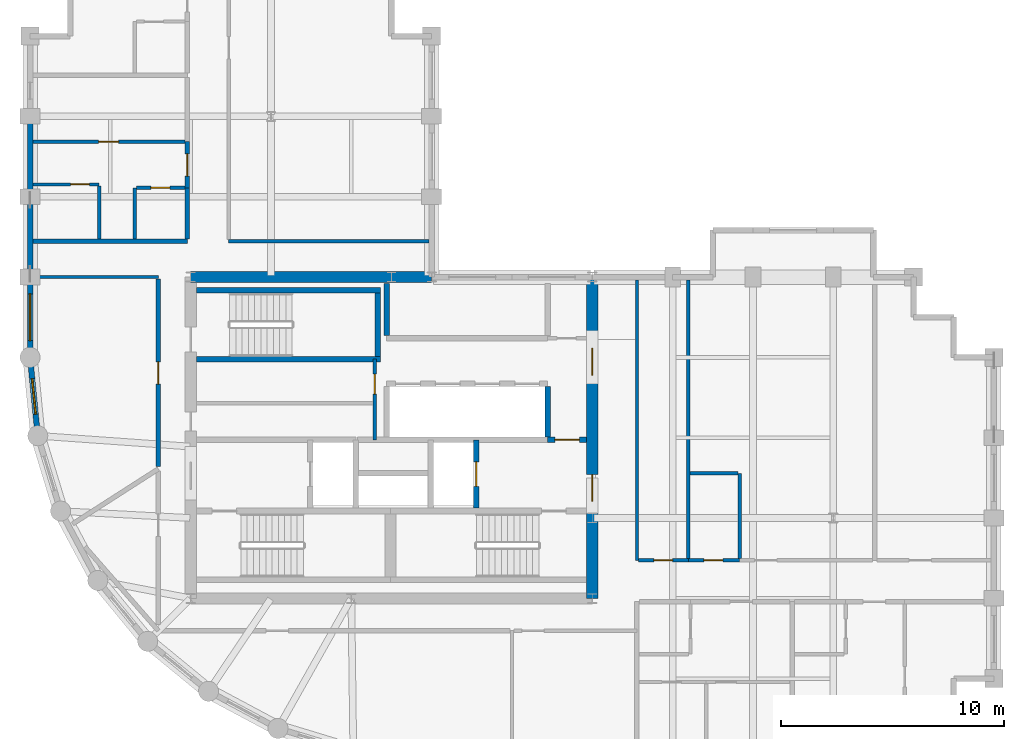
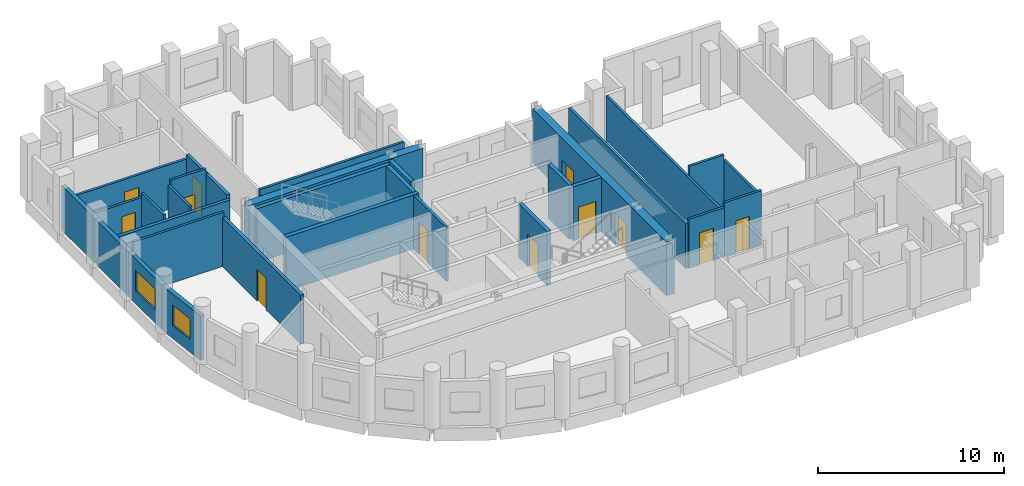
# One storey, part 4 of 8: 31 walls, 12 doors, 2 windows, 14 openings.
"""IFC4 building model written with IfcOpenShell, lengths in metres."""

from ifc_helpers import new_model, si_unit, direction, frame, frame_2d, origin, place, context, subcontext, project, spatial, rectangle, extrude, material, layer, layer_set, type_object, element, fill, save


model = new_model("IFC4")

# Units and contexts
model_context = context("Model", 3, precision=1e-05, world=origin(), true_north=direction((0.0, 1.0)))
body_context = subcontext(model_context, "Body", "Model", "MODEL_VIEW")
ifc_project = project(units=[si_unit("LENGTHUNIT", "METRE"), si_unit("AREAUNIT", "SQUARE_METRE"), si_unit("VOLUMEUNIT", "CUBIC_METRE"), si_unit("PLANEANGLEUNIT", "RADIAN"), si_unit("MASSUNIT", "GRAM", prefix="KILO")], contexts=[model_context])

# Site, building, storey
site_placement = place(None, origin())
site = spatial("IfcSite", under=ifc_project, at=site_placement, CompositionType="ELEMENT")
building_placement = place(site_placement, origin())
building = spatial("IfcBuilding", under=site, at=building_placement, Name="Solnavia Interchange Tower", CompositionType="ELEMENT")
storey_placement = place(building_placement, frame((0.0, 0.0, 186.199951171875)))
storey = spatial("IfcBuildingStorey", under=building, at=storey_placement, Name="L46", CompositionType="ELEMENT", Elevation=186.199951171875)

# Wall, opening, door
ifc_material_1 = material(Name="Gypsum Acoustic Twin-Stud & Mineral Wool", Category="gypsum")
ifc_layer_1 = layer(ifc_material_1, 0.199951171875)
ifc_layer_set_1 = layer_set([ifc_layer_1], Name="Gypsum Acoustic Twin-Stud & Mineral Wool")
wall_type_1 = type_object("IfcWallType", Name="Wall-ApartmentParty-200", PredefinedType="PARTITIONING", material=ifc_layer_set_1)
wall_1_placement = place(storey_placement, frame((12.949951171875, 16.7041015625, 0.0), z_axis=(0.0, 0.0, 1.0), x_axis=(0.0, 1.0, 0.0)))
wall_1 = element("IfcWall", 1, at=wall_1_placement, inside=storey, type_object=wall_type_1, Name="PTW-L46-11 Interior partition wall", PredefinedType="PARTITIONING", context=body_context, shape_type="SweptSolid", body=[
    extrude(rectangle(XDim=8.4169921875, YDim=0.199951171875, at=frame_2d((4.20849609375, 0.0))), origin(), (0.0, 0.0, 1.0), 3.219970703125),
])
opening_1_placement = place(wall_1_placement, frame((3.696044921875, 0.0, 0.0)))
opening_1 = element("IfcOpeningElement", 2, at=opening_1_placement, cuts=wall_1, Name="Opening DR-07", PredefinedType="OPENING", context=body_context, shape_type="SweptSolid", body=[
    extrude(rectangle(XDim=1.0, YDim=2.10009765625, at=frame_2d((0.5, 1.050048828125))), frame((0.0, 0.10986328125, 0.0), z_axis=(0.0, -1.0, 0.0), x_axis=(1.0, 0.0, 0.0)), (0.0, 0.0, 1.0), 0.219970703125),
])
ifc_material_2 = material(Name="Timber & Acoustic Glazed Office Door", Category="wood")
door_type_1 = type_object("IfcDoorType", Name="Door-Office-1000x2100", OperationType="SINGLE_SWING_RIGHT", PredefinedType="DOOR", material=ifc_material_2)
door_1_placement = place(opening_1_placement, origin())
door_1 = element("IfcDoor", 3, at=door_1_placement, inside=storey, type_object=door_type_1, Name="DR-L46-03 Interior room door", OperationType="SINGLE_SWING_LEFT", OverallHeight=2.10009765625, OverallWidth=1.0, PredefinedType="DOOR", context=body_context, shape_type="SweptSolid", body=[
    extrude(rectangle(XDim=1.0, YDim=2.10009765625, at=frame_2d((0.5, 1.050048828125))), frame((0.0, 0.02490234375, 0.0), z_axis=(0.0, -1.0, 0.0), x_axis=(1.0, 0.0, 0.0)), (0.0, 0.0, 1.0), 0.050048828125),
])
fill(opening_1, door_1)

# Walls
wall_2_placement = place(storey_placement, frame((7.3291015625, 26.800048828125, 0.0), z_axis=(0.0, 0.0, 1.0), x_axis=(1.0, 0.0, 0.0)))
element("IfcWall", 4, at=wall_2_placement, inside=storey, type_object=wall_type_1, Name="PTW-L46-35 Interior partition wall", PredefinedType="PARTITIONING", context=body_context, shape_type="SweptSolid", body=[
    extrude(rectangle(XDim=6.9208984375, YDim=0.199951171875, at=frame_2d((3.46044921875, 0.0))), origin(), (0.0, 0.0, 1.0), 2.929931640625),
])
wall_3_placement = place(storey_placement, frame((14.25, 26.904052734375, 0.0), z_axis=(0.0, 0.0, 1.0), x_axis=(0.0, 1.0, 0.0)))
element("IfcWall", 5, at=wall_3_placement, inside=storey, type_object=wall_type_1, Name="PTW-L46-37 Interior partition wall", PredefinedType="PARTITIONING", context=body_context, shape_type="SweptSolid", body=[
    extrude(rectangle(XDim=2.2958984375, YDim=0.199951171875, at=frame_2d((1.14794921875, 0.0))), origin(), (0.0, 0.0, 1.0), 3.170166015625),
])

# Wall, opening, door
wall_4_placement = place(storey_placement, frame((14.25, 29.199951171875, 0.0), z_axis=(0.0, 0.0, 1.0), x_axis=(0.0, 1.0, 0.0)))
wall_4 = element("IfcWall", 6, at=wall_4_placement, inside=storey, type_object=wall_type_1, Name="PTW-L46-40 Interior partition wall", PredefinedType="PARTITIONING", context=body_context, shape_type="SweptSolid", body=[
    extrude(rectangle(XDim=2.070068359375, YDim=0.199951171875, at=frame_2d((1.03515625, 0.0))), origin(), (0.0, 0.0, 1.0), 3.170166015625),
])
opening_2_placement = place(wall_4_placement, frame((0.52197265625, 0.0, 0.0)))
opening_2 = element("IfcOpeningElement", 7, at=opening_2_placement, cuts=wall_4, Name="Opening DR-06", PredefinedType="OPENING", context=body_context, shape_type="SweptSolid", body=[
    extrude(rectangle(XDim=1.0, YDim=2.10009765625, at=frame_2d((0.5, 1.050048828125))), frame((0.0, 0.10986328125, 0.0), z_axis=(0.0, -1.0, 0.0), x_axis=(1.0, 0.0, 0.0)), (0.0, 0.0, 1.0), 0.219970703125),
])
ifc_material_3 = material(Name="Engineered Timber Acoustic Fire Door", Category="wood")
door_type_2 = type_object("IfcDoorType", Name="Door-FlatEntry-1000x2100", OperationType="SINGLE_SWING_LEFT", PredefinedType="DOOR", material=ifc_material_3)
door_2_placement = place(opening_2_placement, origin())
door_2 = element("IfcDoor", 8, at=door_2_placement, inside=storey, type_object=door_type_2, Name="DR-L46-18 Interior room door", OperationType="SINGLE_SWING_LEFT", OverallHeight=2.10009765625, OverallWidth=1.0, PredefinedType="DOOR", context=body_context, shape_type="SweptSolid", body=[
    extrude(rectangle(XDim=1.0, YDim=2.10009765625, at=frame_2d((0.5, 1.050048828125))), frame((0.0, 0.02490234375, 0.0), z_axis=(0.0, -1.0, 0.0), x_axis=(1.0, 0.0, 0.0)), (0.0, 0.0, 1.0), 0.050048828125),
])
fill(opening_2, door_2)

# Walls
ifc_material_4 = material(Name="Concrete C40/50", Category="concrete")
ifc_layer_2 = layer(ifc_material_4, 0.25)
ifc_layer_set_2 = layer_set([ifc_layer_2], Name="Concrete C40/50")
wall_type_2 = type_object("IfcWallType", Name="Wall-ExtSpandrel-250", PredefinedType="STANDARD", material=ifc_layer_set_2)
wall_5_placement = place(storey_placement, frame((7.199951171875, 28.800048828125, 0.0), z_axis=(0.0, 0.0, 1.0), x_axis=(0.0, 1.0, 0.0)))
element("IfcWall", 9, at=wall_5_placement, inside=storey, type_object=wall_type_2, Name="EXW-L46-44 Exterior precast spandrel wall", PredefinedType="STANDARD", context=body_context, shape_type="SweptSolid", body=[
    extrude(rectangle(XDim=3.599853515625, YDim=0.25, at=frame_2d((1.7998046875, 0.0))), origin(), (0.0, 0.0, 1.0), 2.929931640625),
])
wall_6_placement = place(storey_placement, frame((7.199951171875, 25.199951171875, 0.0), z_axis=(0.0, 0.0, 1.0), x_axis=(0.0, 1.0, 0.0)))
element("IfcWall", 10, at=wall_6_placement, inside=storey, type_object=wall_type_2, Name="EXW-L46-45 Exterior precast spandrel wall", PredefinedType="STANDARD", context=body_context, shape_type="SweptSolid", body=[
    extrude(rectangle(XDim=3.60009765625, YDim=0.25, at=frame_2d((1.800048828125, 0.0))), origin(), (0.0, 0.0, 1.0), 2.929931640625),
])

# Wall, opening, window
wall_7_placement = place(storey_placement, frame((7.199951171875, 21.60009765625, 0.0), z_axis=(0.0, 0.0, 1.0), x_axis=(0.0, 1.0, 0.0)))
wall_7 = element("IfcWall", 11, at=wall_7_placement, inside=storey, type_object=wall_type_2, Name="EXW-L46-46 Exterior precast spandrel wall", PredefinedType="STANDARD", context=body_context, shape_type="SweptSolid", body=[
    extrude(rectangle(XDim=3.599853515625, YDim=0.25, at=frame_2d((1.7998046875, 0.0))), origin(), (0.0, 0.0, 1.0), 2.929931640625),
])
opening_3_placement = place(wall_7_placement, frame((0.75, 0.0, 0.85009765625)))
opening_3 = element("IfcOpeningElement", 12, at=opening_3_placement, cuts=wall_7, Name="Opening WIN-01", PredefinedType="OPENING", context=body_context, shape_type="SweptSolid", body=[
    extrude(rectangle(XDim=2.10009765625, YDim=1.35009765625, at=frame_2d((1.050048828125, 0.675048828125))), frame((0.0, 0.135009765625, 0.0), z_axis=(0.0, -1.0, 0.0), x_axis=(1.0, 0.0, 0.0)), (0.0, 0.0, 1.0), 0.27001953125),
])
ifc_material_5 = material(Name="Thermal-Break Aluminium & Low-E Glass", Category="aluminium")
window_type_1 = type_object("IfcWindowType", Name="Window-Ribbon-2100x1350", PartitioningType="SINGLE_PANEL", PredefinedType="WINDOW", material=ifc_material_5)
window_1_placement = place(opening_3_placement, origin())
window_1 = element("IfcWindow", 13, at=window_1_placement, inside=storey, type_object=window_type_1, Name="WIN-L46-46 Facade ribbon window", OverallHeight=1.35009765625, OverallWidth=2.10009765625, PartitioningType="SINGLE_PANEL", PredefinedType="WINDOW", context=body_context, shape_type="SweptSolid", body=[
    extrude(rectangle(XDim=2.10009765625, YDim=1.35009765625, at=frame_2d((1.050048828125, 0.675048828125))), frame((0.0, 0.030029296875, 0.0), z_axis=(0.0, -1.0, 0.0), x_axis=(1.0, 0.0, 0.0)), (0.0, 0.0, 1.0), 0.06005859375),
])
fill(opening_3, window_1)

wall_8_placement = place(storey_placement, frame((7.5458984375, 18.087890625, 0.0), z_axis=(0.0, 0.0, 1.0), x_axis=(-0.09802417461, 0.995184033831, 0.0)))
wall_8 = element("IfcWall", 14, at=wall_8_placement, inside=storey, type_object=wall_type_2, Name="EXW-L46-47 Exterior precast spandrel wall", PredefinedType="STANDARD", context=body_context, shape_type="SweptSolid", body=[
    extrude(rectangle(XDim=3.529296875, YDim=0.25, at=frame_2d((1.7646484375, 0.0))), origin(), (0.0, 0.0, 1.0), 2.929931640625),
])
opening_4_placement = place(wall_8_placement, frame((0.965087890625, 0.0, 0.85009765625)))
opening_4 = element("IfcOpeningElement", 15, at=opening_4_placement, cuts=wall_8, Name="Opening WIN-04", PredefinedType="OPENING", context=body_context, shape_type="SweptSolid", body=[
    extrude(rectangle(XDim=1.60009765625, YDim=1.35009765625, at=frame_2d((0.800048828125, 0.675048828125))), frame((0.0, 0.135009765625, 0.0), z_axis=(0.0, -1.0, 0.0), x_axis=(1.0, 0.0, 0.0)), (0.0, 0.0, 1.0), 0.27001953125),
])
window_type_2 = type_object("IfcWindowType", Name="Window-Drum-1600x1350", PartitioningType="SINGLE_PANEL", PredefinedType="WINDOW", material=ifc_material_5)
window_2_placement = place(opening_4_placement, origin())
window_2 = element("IfcWindow", 16, at=window_2_placement, inside=storey, type_object=window_type_2, Name="WIN-L46-47 Facade ribbon window", OverallHeight=1.35009765625, OverallWidth=1.60009765625, PartitioningType="SINGLE_PANEL", PredefinedType="WINDOW", context=body_context, shape_type="SweptSolid", body=[
    extrude(rectangle(XDim=1.60009765625, YDim=1.35009765625, at=frame_2d((0.800048828125, 0.675048828125))), frame((0.0, 0.030029296875, 0.0), z_axis=(0.0, -1.0, 0.0), x_axis=(1.0, 0.0, 0.0)), (0.0, 0.0, 1.0), 0.06005859375),
])
fill(opening_4, window_2)

# Wall, opening, door
ifc_material_6 = material(Name="Gypsum Plasterboard & Steel Stud", Category="steel")
ifc_layer_3 = layer(ifc_material_6, 0.14990234375)
ifc_layer_set_3 = layer_set([ifc_layer_3], Name="Gypsum Plasterboard & Steel Stud")
wall_type_3 = type_object("IfcWallType", Name="Wall-Partition-150", PredefinedType="PARTITIONING", material=ifc_layer_set_3)
wall_9_placement = place(storey_placement, frame((22.64990234375, 17.89990234375, 0.0), z_axis=(0.0, 0.0, 1.0), x_axis=(0.0, 1.0, 0.0)))
wall_9 = element("IfcWall", 17, at=wall_9_placement, inside=storey, type_object=wall_type_3, Name="CSW-L46-E Core shaft wall", PredefinedType="PARTITIONING", context=body_context, shape_type="SweptSolid", body=[
    extrude(rectangle(XDim=3.625, YDim=0.14990234375, at=frame_2d((1.8125, 0.0))), origin(), (0.0, 0.0, 1.0), 3.53515625),
])
opening_5_placement = place(wall_9_placement, frame((2.050048828125, 0.0, 0.0)))
opening_5 = element("IfcOpeningElement", 18, at=opening_5_placement, cuts=wall_9, Name="Opening DR-09", PredefinedType="OPENING", context=body_context, shape_type="SweptSolid", body=[
    extrude(rectangle(XDim=0.89990234375, YDim=2.10009765625, at=frame_2d((0.449951171875, 1.050048828125))), frame((0.0, 0.0849609375, 0.0), z_axis=(0.0, -1.0, 0.0), x_axis=(1.0, 0.0, 0.0)), (0.0, 0.0, 1.0), 0.169921875),
])
ifc_material_7 = material(Name="Engineered Oak Veneer Door", Category="wood")
door_type_3 = type_object("IfcDoorType", Name="Door-Internal-900x2100", OperationType="SINGLE_SWING_LEFT", PredefinedType="DOOR", material=ifc_material_7)
door_3_placement = place(opening_5_placement, origin())
door_3 = element("IfcDoor", 19, at=door_3_placement, inside=storey, type_object=door_type_3, Name="DR-L46-CS2 Core fire door", OperationType="SINGLE_SWING_LEFT", OverallHeight=2.10009765625, OverallWidth=0.89990234375, PredefinedType="DOOR", context=body_context, shape_type="SweptSolid", body=[
    extrude(rectangle(XDim=0.89990234375, YDim=2.10009765625, at=frame_2d((0.449951171875, 1.050048828125))), frame((0.0, 0.02490234375, 0.0), z_axis=(0.0, -1.0, 0.0), x_axis=(1.0, 0.0, 0.0)), (0.0, 0.0, 1.0), 0.050048828125),
])
fill(opening_5, door_3)

# Wall
wall_10_placement = place(storey_placement, frame((7.3291015625, 25.199951171875, 0.0), z_axis=(0.0, 0.0, 1.0), x_axis=(1.0, 0.0, 0.0)))
element("IfcWall", 20, at=wall_10_placement, inside=storey, type_object=wall_type_3, Name="PTW-L46-07 Interior partition wall", PredefinedType="PARTITIONING", context=body_context, shape_type="SweptSolid", body=[
    extrude(rectangle(XDim=5.620849609375, YDim=0.14990234375, at=frame_2d((2.810546875, 0.0))), origin(), (0.0, 0.0, 1.0), 3.53515625),
])

# Wall, opening, door
wall_11_placement = place(storey_placement, frame((7.3291015625, 31.27001953125, 0.0), z_axis=(0.0, 0.0, 1.0), x_axis=(1.0, 0.0, 0.0)))
wall_11 = element("IfcWall", 21, at=wall_11_placement, inside=storey, type_object=wall_type_3, Name="PTW-L46-42 Interior partition wall", PredefinedType="PARTITIONING", context=body_context, shape_type="SweptSolid", body=[
    extrude(rectangle(XDim=6.81689453125, YDim=0.14990234375, at=frame_2d((3.408447265625, 0.0))), origin(), (0.0, 0.0, 1.0), 2.929931640625),
])
opening_6_placement = place(wall_11_placement, frame((2.946044921875, 0.0, 0.0)))
opening_6 = element("IfcOpeningElement", 22, at=opening_6_placement, cuts=wall_11, Name="Opening DR-09", PredefinedType="OPENING", context=body_context, shape_type="SweptSolid", body=[
    extrude(rectangle(XDim=0.89990234375, YDim=2.10009765625, at=frame_2d((0.449951171875, 1.050048828125))), frame((0.0, 0.0849609375, 0.0), z_axis=(0.0, -1.0, 0.0), x_axis=(1.0, 0.0, 0.0)), (0.0, 0.0, 1.0), 0.169921875),
])
door_4_placement = place(opening_6_placement, origin())
door_4 = element("IfcDoor", 23, at=door_4_placement, inside=storey, type_object=door_type_3, Name="DR-L46-19 Interior room door", OperationType="SINGLE_SWING_LEFT", OverallHeight=2.10009765625, OverallWidth=0.89990234375, PredefinedType="DOOR", context=body_context, shape_type="SweptSolid", body=[
    extrude(rectangle(XDim=0.89990234375, YDim=2.10009765625, at=frame_2d((0.449951171875, 1.050048828125))), frame((0.0, 0.02490234375, 0.0), z_axis=(0.0, -1.0, 0.0), x_axis=(1.0, 0.0, 0.0)), (0.0, 0.0, 1.0), 0.050048828125),
])
fill(opening_6, door_4)

# Walls
wall_12_placement = place(storey_placement, frame((16.10009765625, 26.800048828125, 0.0), z_axis=(0.0, 0.0, 1.0), x_axis=(1.0, 0.0, 0.0)))
element("IfcWall", 24, at=wall_12_placement, inside=storey, type_object=wall_type_3, Name="PTW-L46-49 Interior partition wall", PredefinedType="PARTITIONING", context=body_context, shape_type="SweptSolid", body=[
    extrude(rectangle(XDim=8.970947265625, YDim=0.14990234375, at=frame_2d((4.4853515625, 0.0))), origin(), (0.0, 0.0, 1.0), 2.929931640625),
])
ifc_layer_4 = layer(ifc_material_4, 0.25)
ifc_layer_set_4 = layer_set([ifc_layer_4], Name="Concrete C40/50")
wall_type_4 = type_object("IfcWallType", Name="Wall-ShaftCore-250", PredefinedType="SHEAR", material=ifc_layer_set_4)
for number, where, z_axis, x_axis, name in (
    (25, (14.64990234375, 21.52490234375, 0.0), (0.0, 0.0, 1.0), (1.0, 0.0, 0.0), "SHW-L46-ST3S Core shear wall"),
    (26, (14.64990234375, 24.614990234375, 0.0), (0.0, 0.0, 1.0), (1.0, 0.0, 0.0), "SHW-L46-ST3N Core shear wall"),
):
    element("IfcWall", number, at=place(storey_placement, frame(where, z_axis=z_axis, x_axis=x_axis)), inside=storey, type_object=wall_type_4, Name=name, PredefinedType="SHEAR", context=body_context, shape_type="SweptSolid", body=[
        extrude(rectangle(XDim=8.25, YDim=0.25, at=frame_2d((4.125, 0.0))), origin(), (0.0, 0.0, 1.0), 3.550048828125),
    ])
wall_13_placement = place(storey_placement, frame((22.77490234375, 21.64990234375, 0.0), z_axis=(0.0, 0.0, 1.0), x_axis=(0.0, 1.0, 0.0)))
element("IfcWall", 27, at=wall_13_placement, inside=storey, type_object=wall_type_4, Name="SHW-L46-ST3E Core shear wall", PredefinedType="SHEAR", context=body_context, shape_type="SweptSolid", body=[
    extrude(rectangle(XDim=2.840087890625, YDim=0.25, at=frame_2d((1.419921875, 0.0))), origin(), (0.0, 0.0, 1.0), 3.550048828125),
])

# Wall, opening, door
ifc_layer_5 = layer(ifc_material_4, 0.25)
ifc_layer_set_5 = layer_set([ifc_layer_5], Name="Concrete C40/50")
wall_type_5 = type_object("IfcWallType", Name="Wall-ShaftPart-250", PredefinedType="PARTITIONING", material=ifc_layer_set_5)
wall_14_placement = place(storey_placement, frame((30.39990234375, 17.89990234375, 0.0), z_axis=(0.0, 0.0, 1.0), x_axis=(1.0, 0.0, 0.0)))
wall_14 = element("IfcWall", 28, at=wall_14_placement, inside=storey, type_object=wall_type_5, Name="SHW-L46-FFLE-N2 Core shaft wall", PredefinedType="PARTITIONING", context=body_context, shape_type="SweptSolid", body=[
    extrude(rectangle(XDim=1.75, YDim=0.25, at=frame_2d((0.875, 0.0))), origin(), (0.0, 0.0, 1.0), 3.53515625),
])
opening_7_placement = place(wall_14_placement, frame((0.320068359375, 0.0, 0.0)))
opening_7 = element("IfcOpeningElement", 29, at=opening_7_placement, cuts=wall_14, Name="Opening DR-01", PredefinedType="OPENING", context=body_context, shape_type="SweptSolid", body=[
    extrude(rectangle(XDim=1.10009765625, YDim=2.10009765625, at=frame_2d((0.550048828125, 1.050048828125))), frame((0.0, 0.135009765625, 0.0), z_axis=(0.0, -1.0, 0.0), x_axis=(1.0, 0.0, 0.0)), (0.0, 0.0, 1.0), 0.27001953125),
])
ifc_material_8 = material(Name="Steel Fire-Rated Leaf & Frame", Category="steel")
door_type_4 = type_object("IfcDoorType", Name="Door-StairFire-1100x2100", OperationType="SINGLE_SWING_LEFT", PredefinedType="DOOR", material=ifc_material_8)
door_5_placement = place(opening_7_placement, origin())
door_5 = element("IfcDoor", 30, at=door_5_placement, inside=storey, type_object=door_type_4, Name="DR-L46-LLC Core fire door", OperationType="SINGLE_SWING_LEFT", OverallHeight=2.10009765625, OverallWidth=1.10009765625, PredefinedType="DOOR", context=body_context, shape_type="SweptSolid", body=[
    extrude(rectangle(XDim=1.10009765625, YDim=2.10009765625, at=frame_2d((0.550048828125, 1.050048828125))), frame((0.0, 0.02490234375, 0.0), z_axis=(0.0, -1.0, 0.0), x_axis=(1.0, 0.0, 0.0)), (0.0, 0.0, 1.0), 0.050048828125),
])
fill(opening_7, door_5)

wall_15_placement = place(storey_placement, frame((27.199951171875, 14.840087890625, 0.0), z_axis=(0.0, 0.0, 1.0), x_axis=(0.0, 1.0, 0.0)))
wall_15 = element("IfcWall", 31, at=wall_15_placement, inside=storey, type_object=wall_type_5, Name="SHW-L46-FFL2-E Core shaft wall", PredefinedType="PARTITIONING", context=body_context, shape_type="SweptSolid", body=[
    extrude(rectangle(XDim=3.059814453125, YDim=0.25, at=frame_2d((1.52978515625, 0.0))), origin(), (0.0, 0.0, 1.0), 3.53515625),
])
opening_8_placement = place(wall_15_placement, frame((0.97998046875, 0.0, 0.0)))
opening_8 = element("IfcOpeningElement", 32, at=opening_8_placement, cuts=wall_15, Name="Opening LD-01", PredefinedType="OPENING", context=body_context, shape_type="SweptSolid", body=[
    extrude(rectangle(XDim=1.10009765625, YDim=2.10009765625, at=frame_2d((0.550048828125, 1.050048828125))), frame((0.0, 0.135009765625, 0.0), z_axis=(0.0, -1.0, 0.0), x_axis=(1.0, 0.0, 0.0)), (0.0, 0.0, 1.0), 0.27001953125),
])
ifc_material_9 = material(Name="Brushed Stainless Steel Sliding Door", Category="steel")
door_type_5 = type_object("IfcDoorType", Name="Door-LiftLanding-1100x2100", OperationType="SLIDING_TO_LEFT", PredefinedType="DOOR", material=ifc_material_9)
door_6_placement = place(opening_8_placement, origin())
door_6 = element("IfcDoor", 33, at=door_6_placement, inside=storey, type_object=door_type_5, Name="LD-L46-FFL2 Lift landing sliding door", OperationType="SLIDING_TO_LEFT", OverallHeight=2.10009765625, OverallWidth=1.10009765625, PredefinedType="DOOR", context=body_context, shape_type="SweptSolid", body=[
    extrude(rectangle(XDim=1.10009765625, YDim=2.10009765625, at=frame_2d((0.550048828125, 1.050048828125))), frame((0.0, 0.02490234375, 0.0), z_axis=(0.0, -1.0, 0.0), x_axis=(1.0, 0.0, 0.0)), (0.0, 0.0, 1.0), 0.050048828125),
])
fill(opening_8, door_6)

# Walls
wall_16_placement = place(storey_placement, frame((30.39990234375, 18.02490234375, 0.0), z_axis=(0.0, 0.0, 1.0), x_axis=(0.0, 1.0, 0.0)))
element("IfcWall", 34, at=wall_16_placement, inside=storey, type_object=wall_type_5, Name="SHW-L46-B2E Core shaft wall", PredefinedType="PARTITIONING", context=body_context, shape_type="SweptSolid", body=[
    extrude(rectangle(XDim=2.27001953125, YDim=0.25, at=frame_2d((1.135009765625, 0.0))), origin(), (0.0, 0.0, 1.0), 3.53515625),
])
wall_17_placement = place(storey_placement, frame((23.179931640625, 22.5849609375, 0.0), z_axis=(0.0, 0.0, 1.0), x_axis=(0.0, 1.0, 0.0)))
element("IfcWall", 35, at=wall_17_placement, inside=storey, type_object=wall_type_5, Name="SHW-L46-B3W Core shaft wall", PredefinedType="PARTITIONING", context=body_context, shape_type="SweptSolid", body=[
    extrude(rectangle(XDim=2.31494140625, YDim=0.25, at=frame_2d((1.157470703125, 0.0))), origin(), (0.0, 0.0, 1.0), 3.53515625),
])
ifc_material_10 = material(Name="Concrete C60/75", Category="concrete")
ifc_layer_6 = layer(ifc_material_10, 0.5)
ifc_layer_set_6 = layer_set([ifc_layer_6], Name="Concrete C60/75")
wall_type_6 = type_object("IfcWallType", Name="Wall-ShearCore-500", PredefinedType="SHEAR", material=ifc_layer_set_6)
wall_18_placement = place(storey_placement, frame((14.39990234375, 25.199951171875, 0.0), z_axis=(0.0, 0.0, 1.0), x_axis=(1.0, 0.0, 0.0)))
element("IfcWall", 36, at=wall_18_placement, inside=storey, type_object=wall_type_6, Name="CRW-L46-N Core shear wall", PredefinedType="SHEAR", context=body_context, shape_type="SweptSolid", body=[
    extrude(rectangle(XDim=10.800048828125, YDim=0.5, at=frame_2d((5.39990234375, 0.0))), origin(), (0.0, 0.0, 1.0), 3.550048828125),
])

# Wall, openings, doors
wall_19_placement = place(storey_placement, frame((32.39990234375, 10.800048828125, 0.0), z_axis=(0.0, 0.0, 1.0), x_axis=(0.0, 1.0, 0.0)))
wall_19 = element("IfcWall", 37, at=wall_19_placement, inside=storey, type_object=wall_type_6, Name="CRW-L46-E Core shear wall", PredefinedType="SHEAR", context=body_context, shape_type="SweptSolid", body=[
    extrude(rectangle(XDim=14.39990234375, YDim=0.5, at=frame_2d((7.199951171875, 0.0))), origin(), (0.0, 0.0, 1.0), 3.550048828125),
])
opening_9_placement = place(wall_19_placement, frame((4.35009765625, 0.0, 0.0)))
opening_9 = element("IfcOpeningElement", 38, at=opening_9_placement, cuts=wall_19, Name="Opening DR-02", PredefinedType="OPENING", context=body_context, shape_type="SweptSolid", body=[
    extrude(rectangle(XDim=1.199951171875, YDim=2.10009765625, at=frame_2d((0.60009765625, 1.050048828125))), frame((0.0, 0.260009765625, 0.0), z_axis=(0.0, -1.0, 0.0), x_axis=(1.0, 0.0, 0.0)), (0.0, 0.0, 1.0), 0.52001953125),
])
opening_10_placement = place(wall_19_placement, frame((10.0, 0.0, 0.0)))
opening_10 = element("IfcOpeningElement", 39, at=opening_10_placement, cuts=wall_19, Name="Opening DR-02", PredefinedType="OPENING", context=body_context, shape_type="SweptSolid", body=[
    extrude(rectangle(XDim=1.199951171875, YDim=2.10009765625, at=frame_2d((0.60009765625, 1.050048828125))), frame((0.0, 0.260009765625, 0.0), z_axis=(0.0, -1.0, 0.0), x_axis=(1.0, 0.0, 0.0)), (0.0, 0.0, 1.0), 0.52001953125),
])
ifc_material_11 = material(Name="Steel Fire-Rated Vision-Panel Door", Category="steel")
door_type_6 = type_object("IfcDoorType", Name="Door-LobbyFire-1200x2100", OperationType="SINGLE_SWING_RIGHT", PredefinedType="DOOR", material=ifc_material_11)
door_7_placement = place(opening_9_placement, origin())
door_7 = element("IfcDoor", 40, at=door_7_placement, inside=storey, type_object=door_type_6, Name="DR-L46-FFL2E Core fire door", OperationType="SINGLE_SWING_LEFT", OverallHeight=2.10009765625, OverallWidth=1.199951171875, PredefinedType="DOOR", context=body_context, shape_type="SweptSolid", body=[
    extrude(rectangle(XDim=1.199951171875, YDim=2.10009765625, at=frame_2d((0.60009765625, 1.050048828125))), frame((0.0, 0.02490234375, 0.0), z_axis=(0.0, -1.0, 0.0), x_axis=(1.0, 0.0, 0.0)), (0.0, 0.0, 1.0), 0.050048828125),
])
fill(opening_9, door_7)
door_8_placement = place(opening_10_placement, origin())
door_8 = element("IfcDoor", 41, at=door_8_placement, inside=storey, type_object=door_type_6, Name="DR-L46-LLE Core fire door", OperationType="SINGLE_SWING_RIGHT", OverallHeight=2.10009765625, OverallWidth=1.199951171875, PredefinedType="DOOR", context=body_context, shape_type="SweptSolid", body=[
    extrude(rectangle(XDim=1.199951171875, YDim=2.10009765625, at=frame_2d((0.60009765625, 1.050048828125))), frame((0.0, 0.02490234375, 0.0), z_axis=(0.0, -1.0, 0.0), x_axis=(1.0, 0.0, 0.0)), (0.0, 0.0, 1.0), 0.050048828125),
])
fill(opening_10, door_8)

# Wall
ifc_material_12 = material(Name="Moisture-Resistant Gypsum & Steel Stud", Category="steel")
ifc_layer_7 = layer(ifc_material_12, 0.14990234375)
ifc_layer_set_7 = layer_set([ifc_layer_7], Name="Moisture-Resistant Gypsum & Steel Stud")
wall_type_7 = type_object("IfcWallType", Name="Wall-WetRoom-150", PredefinedType="PARTITIONING", material=ifc_layer_set_7)
wall_20_placement = place(storey_placement, frame((34.39990234375, 12.5, 0.0), z_axis=(0.0, 0.0, 1.0), x_axis=(0.0, 1.0, 0.0)))
element("IfcWall", 42, at=wall_20_placement, inside=storey, type_object=wall_type_7, Name="PTW-L46-01 Interior partition wall", PredefinedType="PARTITIONING", context=body_context, shape_type="SweptSolid", body=[
    extrude(rectangle(XDim=12.571044921875, YDim=0.14990234375, at=frame_2d((6.28564453125, 0.0))), origin(), (0.0, 0.0, 1.0), 2.929931640625),
])

# Wall, opening, door
wall_21_placement = place(storey_placement, frame((34.47900390625, 12.5, 0.0), z_axis=(0.0, 0.0, 1.0), x_axis=(1.0, 0.0, 0.0)))
wall_21 = element("IfcWall", 43, at=wall_21_placement, inside=storey, type_object=wall_type_7, Name="PTW-L46-02 Interior partition wall", PredefinedType="PARTITIONING", context=body_context, shape_type="SweptSolid", body=[
    extrude(rectangle(XDim=2.220947265625, YDim=0.14990234375, at=frame_2d((1.1103515625, 0.0))), origin(), (0.0, 0.0, 1.0), 3.219970703125),
])
opening_11_placement = place(wall_21_placement, frame((0.674072265625, 0.0, 0.0)))
opening_11 = element("IfcOpeningElement", 44, at=opening_11_placement, cuts=wall_21, Name="Opening DR-10", PredefinedType="OPENING", context=body_context, shape_type="SweptSolid", body=[
    extrude(rectangle(XDim=0.85009765625, YDim=2.10009765625, at=frame_2d((0.425048828125, 1.050048828125))), frame((0.0, 0.0849609375, 0.0), z_axis=(0.0, -1.0, 0.0), x_axis=(1.0, 0.0, 0.0)), (0.0, 0.0, 1.0), 0.169921875),
])
ifc_material_13 = material(Name="Moisture-Resistant Timber Door", Category="wood")
door_type_7 = type_object("IfcDoorType", Name="Door-Bathroom-850x2100", OperationType="SINGLE_SWING_RIGHT", PredefinedType="DOOR", material=ifc_material_13)
door_9_placement = place(opening_11_placement, origin())
door_9 = element("IfcDoor", 45, at=door_9_placement, inside=storey, type_object=door_type_7, Name="DR-L46-01 Interior room door", OperationType="SINGLE_SWING_LEFT", OverallHeight=2.10009765625, OverallWidth=0.85009765625, PredefinedType="DOOR", context=body_context, shape_type="SweptSolid", body=[
    extrude(rectangle(XDim=0.85009765625, YDim=2.10009765625, at=frame_2d((0.425048828125, 1.050048828125))), frame((0.0, 0.02490234375, 0.0), z_axis=(0.0, -1.0, 0.0), x_axis=(1.0, 0.0, 0.0)), (0.0, 0.0, 1.0), 0.050048828125),
])
fill(opening_11, door_9)

# Wall
wall_22_placement = place(storey_placement, frame((36.699951171875, 12.5791015625, 0.0), z_axis=(0.0, 0.0, 1.0), x_axis=(0.0, 1.0, 0.0)))
element("IfcWall", 46, at=wall_22_placement, inside=storey, type_object=wall_type_7, Name="PTW-L46-03 Interior partition wall", PredefinedType="PARTITIONING", context=body_context, shape_type="SweptSolid", body=[
    extrude(rectangle(XDim=12.491943359375, YDim=0.14990234375, at=frame_2d((6.24609375, 0.0))), origin(), (0.0, 0.0, 1.0), 2.929931640625),
])

# Wall, opening, door
wall_23_placement = place(storey_placement, frame((36.699951171875, 12.5, 0.0), z_axis=(0.0, 0.0, 1.0), x_axis=(1.0, 0.0, 0.0)))
wall_23 = element("IfcWall", 47, at=wall_23_placement, inside=storey, type_object=wall_type_7, Name="PTW-L46-04 Interior partition wall", PredefinedType="PARTITIONING", context=body_context, shape_type="SweptSolid", body=[
    extrude(rectangle(XDim=2.300048828125, YDim=0.14990234375, at=frame_2d((1.14990234375, 0.0))), origin(), (0.0, 0.0, 1.0), 3.53515625),
])
opening_12_placement = place(wall_23_placement, frame((0.697021484375, 0.0, 0.0)))
opening_12 = element("IfcOpeningElement", 48, at=opening_12_placement, cuts=wall_23, Name="Opening DR-10", PredefinedType="OPENING", context=body_context, shape_type="SweptSolid", body=[
    extrude(rectangle(XDim=0.85009765625, YDim=2.10009765625, at=frame_2d((0.425048828125, 1.050048828125))), frame((0.0, 0.0849609375, 0.0), z_axis=(0.0, -1.0, 0.0), x_axis=(1.0, 0.0, 0.0)), (0.0, 0.0, 1.0), 0.169921875),
])
door_10_placement = place(opening_12_placement, origin())
door_10 = element("IfcDoor", 49, at=door_10_placement, inside=storey, type_object=door_type_7, Name="DR-L46-02 Interior room door", OperationType="SINGLE_SWING_RIGHT", OverallHeight=2.10009765625, OverallWidth=0.85009765625, PredefinedType="DOOR", context=body_context, shape_type="SweptSolid", body=[
    extrude(rectangle(XDim=0.85009765625, YDim=2.10009765625, at=frame_2d((0.425048828125, 1.050048828125))), frame((0.0, 0.02490234375, 0.0), z_axis=(0.0, -1.0, 0.0), x_axis=(1.0, 0.0, 0.0)), (0.0, 0.0, 1.0), 0.050048828125),
])
fill(opening_12, door_10)

# Walls
wall_24_placement = place(storey_placement, frame((39.0, 12.5791015625, 0.0), z_axis=(0.0, 0.0, 1.0), x_axis=(0.0, 1.0, 0.0)))
element("IfcWall", 50, at=wall_24_placement, inside=storey, type_object=wall_type_7, Name="PTW-L46-05 Interior partition wall", PredefinedType="PARTITIONING", context=body_context, shape_type="SweptSolid", body=[
    extrude(rectangle(XDim=3.82080078125, YDim=0.14990234375, at=frame_2d((1.910400390625, 0.0))), origin(), (0.0, 0.0, 1.0), 3.170166015625),
])
wall_25_placement = place(storey_placement, frame((36.779052734375, 16.39990234375, 0.0), z_axis=(0.0, 0.0, 1.0), x_axis=(1.0, 0.0, 0.0)))
element("IfcWall", 51, at=wall_25_placement, inside=storey, type_object=wall_type_7, Name="PTW-L46-06 Interior partition wall", PredefinedType="PARTITIONING", context=body_context, shape_type="SweptSolid", body=[
    extrude(rectangle(XDim=2.141845703125, YDim=0.14990234375, at=frame_2d((1.07080078125, 0.0))), origin(), (0.0, 0.0, 1.0), 3.53515625),
])
wall_26_placement = place(storey_placement, frame((11.89990234375, 26.904052734375, 0.0), z_axis=(0.0, 0.0, 1.0), x_axis=(0.0, 1.0, 0.0)))
element("IfcWall", 52, at=wall_26_placement, inside=storey, type_object=wall_type_7, Name="PTW-L46-38 Interior partition wall", PredefinedType="PARTITIONING", context=body_context, shape_type="SweptSolid", body=[
    extrude(rectangle(XDim=2.2958984375, YDim=0.14990234375, at=frame_2d((1.14794921875, 0.0))), origin(), (0.0, 0.0, 1.0), 3.219970703125),
])

# Wall, opening, door
wall_27_placement = place(storey_placement, frame((11.97900390625, 29.199951171875, 0.0), z_axis=(0.0, 0.0, 1.0), x_axis=(1.0, 0.0, 0.0)))
wall_27 = element("IfcWall", 53, at=wall_27_placement, inside=storey, type_object=wall_type_7, Name="PTW-L46-39 Interior partition wall", PredefinedType="PARTITIONING", context=body_context, shape_type="SweptSolid", body=[
    extrude(rectangle(XDim=2.1669921875, YDim=0.14990234375, at=frame_2d((1.08349609375, 0.0))), origin(), (0.0, 0.0, 1.0), 3.53515625),
])
opening_13_placement = place(wall_27_placement, frame((0.64111328125, 0.0, 0.0)))
opening_13 = element("IfcOpeningElement", 54, at=opening_13_placement, cuts=wall_27, Name="Opening DR-10", PredefinedType="OPENING", context=body_context, shape_type="SweptSolid", body=[
    extrude(rectangle(XDim=0.85009765625, YDim=2.10009765625, at=frame_2d((0.425048828125, 1.050048828125))), frame((0.0, 0.0849609375, 0.0), z_axis=(0.0, -1.0, 0.0), x_axis=(1.0, 0.0, 0.0)), (0.0, 0.0, 1.0), 0.169921875),
])
door_11_placement = place(opening_13_placement, origin())
door_11 = element("IfcDoor", 55, at=door_11_placement, inside=storey, type_object=door_type_7, Name="DR-L46-17 Interior room door", OperationType="SINGLE_SWING_RIGHT", OverallHeight=2.10009765625, OverallWidth=0.85009765625, PredefinedType="DOOR", context=body_context, shape_type="SweptSolid", body=[
    extrude(rectangle(XDim=0.85009765625, YDim=2.10009765625, at=frame_2d((0.425048828125, 1.050048828125))), frame((0.0, 0.02490234375, 0.0), z_axis=(0.0, -1.0, 0.0), x_axis=(1.0, 0.0, 0.0)), (0.0, 0.0, 1.0), 0.050048828125),
])
fill(opening_13, door_11)

wall_28_placement = place(storey_placement, frame((7.3291015625, 29.35009765625, 0.0), z_axis=(0.0, 0.0, 1.0), x_axis=(1.0, 0.0, 0.0)))
wall_28 = element("IfcWall", 56, at=wall_28_placement, inside=storey, type_object=wall_type_7, Name="PTW-L46-43 Interior partition wall", PredefinedType="PARTITIONING", context=body_context, shape_type="SweptSolid", body=[
    extrude(rectangle(XDim=2.970947265625, YDim=0.14990234375, at=frame_2d((1.4853515625, 0.0))), origin(), (0.0, 0.0, 1.0), 2.929931640625),
])
opening_14_placement = place(wall_28_placement, frame((1.68505859375, 0.0, 0.0)))
opening_14 = element("IfcOpeningElement", 57, at=opening_14_placement, cuts=wall_28, Name="Opening DR-10", PredefinedType="OPENING", context=body_context, shape_type="SweptSolid", body=[
    extrude(rectangle(XDim=0.85009765625, YDim=2.10009765625, at=frame_2d((0.425048828125, 1.050048828125))), frame((0.0, 0.0849609375, 0.0), z_axis=(0.0, -1.0, 0.0), x_axis=(1.0, 0.0, 0.0)), (0.0, 0.0, 1.0), 0.169921875),
])
door_12_placement = place(opening_14_placement, origin())
door_12 = element("IfcDoor", 58, at=door_12_placement, inside=storey, type_object=door_type_7, Name="DR-L46-20 Interior room door", OperationType="SINGLE_SWING_RIGHT", OverallHeight=2.10009765625, OverallWidth=0.85009765625, PredefinedType="DOOR", context=body_context, shape_type="SweptSolid", body=[
    extrude(rectangle(XDim=0.85009765625, YDim=2.10009765625, at=frame_2d((0.425048828125, 1.050048828125))), frame((0.0, 0.02490234375, 0.0), z_axis=(0.0, -1.0, 0.0), x_axis=(1.0, 0.0, 0.0)), (0.0, 0.0, 1.0), 0.050048828125),
])
fill(opening_14, door_12)

# Wall
wall_29_placement = place(storey_placement, frame((10.300048828125, 26.904052734375, 0.0), z_axis=(0.0, 0.0, 1.0), x_axis=(0.0, 1.0, 0.0)))
element("IfcWall", 59, at=wall_29_placement, inside=storey, type_object=wall_type_7, Name="PTW-L46-44 Interior partition wall", PredefinedType="PARTITIONING", context=body_context, shape_type="SweptSolid", body=[
    extrude(rectangle(XDim=2.366943359375, YDim=0.14990234375, at=frame_2d((1.18359375, 0.0))), origin(), (0.0, 0.0, 1.0), 3.219970703125),
])

save(model, "model.ifc")
